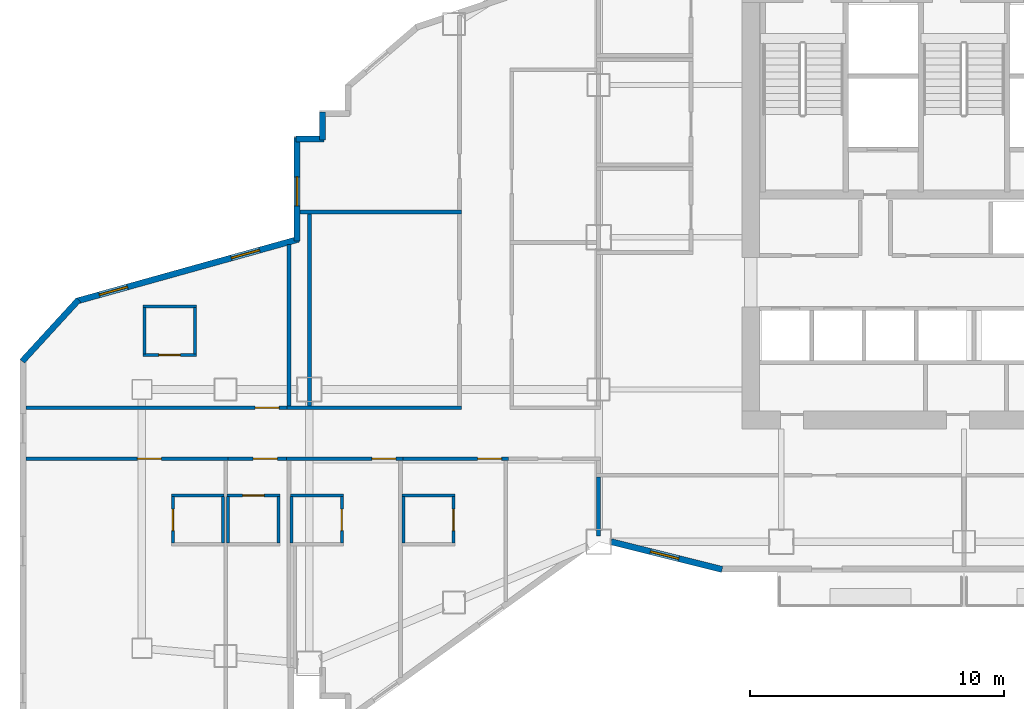
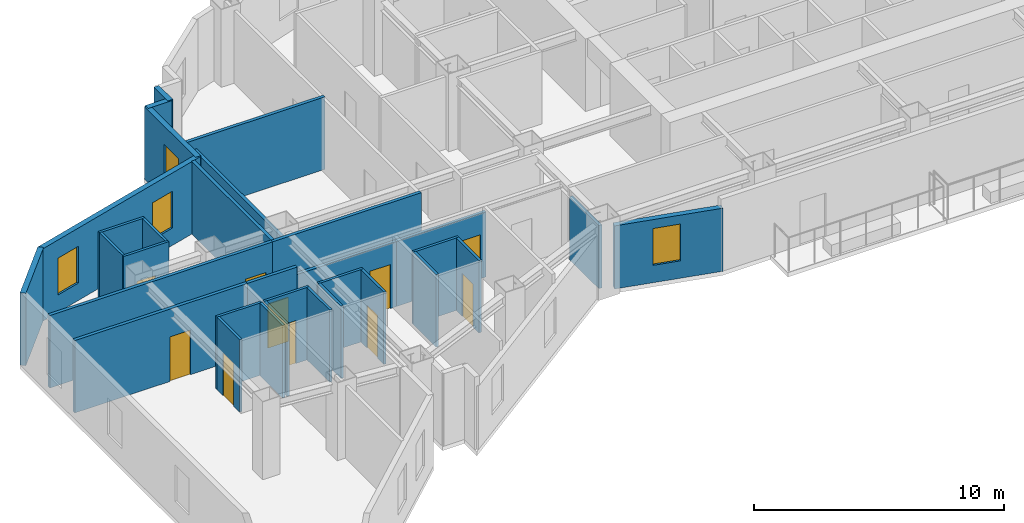
# One storey, part 7 of 14: 32 walls, 10 doors, 4 windows, 14 openings.
"""IFC4 building model written with IfcOpenShell, lengths in metres."""

from ifc_helpers import new_model, si_unit, direction, frame, frame_2d, origin, place, context, subcontext, project, spatial, rectangle, extrude, material, layer, layer_set, type_object, element, fill, save


model = new_model("IFC4")

# Units and contexts
model_context = context("Model", 3, precision=1e-05, world=origin(), true_north=direction((0.0, 1.0)))
body_context = subcontext(model_context, "Body", "Model", "MODEL_VIEW")
ifc_project = project(units=[si_unit("LENGTHUNIT", "METRE"), si_unit("AREAUNIT", "SQUARE_METRE"), si_unit("VOLUMEUNIT", "CUBIC_METRE"), si_unit("PLANEANGLEUNIT", "RADIAN"), si_unit("MASSUNIT", "GRAM", prefix="KILO")], contexts=[model_context])

# Site, building, storey
site_placement = place(None, origin())
site = spatial("IfcSite", under=ifc_project, at=site_placement, CompositionType="ELEMENT")
building_placement = place(site_placement, origin())
building = spatial("IfcBuilding", under=site, at=building_placement, Name="Haolan Belvedere Tower", CompositionType="ELEMENT")
storey_placement = place(building_placement, frame((0.0, 0.0, 132.60009765625)))
storey = spatial("IfcBuildingStorey", under=building, at=storey_placement, Name="L33", CompositionType="ELEMENT", Elevation=132.60009765625)

# Wall, opening, window
ifc_material_1 = material(Name="Precast concrete C40/50", Category="concrete")
ifc_layer_1 = layer(ifc_material_1, 0.239990234375, Name="Precast concrete C40/50")
ifc_layer_set_1 = layer_set([ifc_layer_1], Name="Precast concrete C40/50")
wall_type_1 = type_object("IfcWallType", Name="WL-EXT-240", PredefinedType="SOLIDWALL", material=ifc_layer_set_1)
wall_1_placement = place(storey_placement, frame((24.491943359375, 21.6005859375, 0.0), z_axis=(0.0, 0.0, 1.0), x_axis=(0.970145683738, -0.242522890311, 0.0)))
wall_1 = element("IfcWall", 1, at=wall_1_placement, inside=storey, type_object=wall_type_1, Name="L33 pale-metal exterior spandrel wall 6.1", PredefinedType="SOLIDWALL", context=body_context, shape_type="SweptSolid", body=[
    extrude(rectangle(XDim=4.510986328125, YDim=0.239990234375, at=frame_2d((2.25537109375, 0.0))), origin(), (0.0, 0.0, 1.0), 3.0849609375),
])
opening_1_placement = place(wall_1_placement, frame((1.60009765625, 0.0, 0.85009765625)))
opening_1 = element("IfcOpeningElement", 2, at=opening_1_placement, cuts=wall_1, Name="Opening W-02", PredefinedType="OPENING", context=body_context, shape_type="SweptSolid", body=[
    extrude(rectangle(XDim=1.14990234375, YDim=1.800048828125, at=frame_2d((0.574951171875, 0.89990234375))), frame((0.0, 0.1298828125, 0.0), z_axis=(0.0, -1.0, 0.0), x_axis=(1.0, 0.0, 0.0)), (0.0, 0.0, 1.0), 0.260009765625),
])
ifc_material_2 = material(Name="Anodised aluminium 6063-T6 and Low-E glass", Category="aluminium")
window_type = type_object("IfcWindowType", Name="WN-DECO-Z2", PartitioningType="SINGLE_PANEL", PredefinedType="WINDOW", material=ifc_material_2)
window_1_placement = place(opening_1_placement, origin())
window_1 = element("IfcWindow", 3, at=window_1_placement, inside=storey, type_object=window_type, Name="L33 Art Deco chevron window 1", OverallHeight=1.800048828125, OverallWidth=1.14990234375, PartitioningType="SINGLE_PANEL", PredefinedType="WINDOW", context=body_context, shape_type="SweptSolid", body=[
    extrude(rectangle(XDim=1.14990234375, YDim=1.800048828125, at=frame_2d((0.574951171875, 0.89990234375))), frame((0.0, 0.030029296875, 0.0), z_axis=(0.0, -1.0, 0.0), x_axis=(1.0, 0.0, 0.0)), (0.0, 0.0, 1.0), 0.06005859375),
])
fill(opening_1, window_1)

# Walls
wall_2_placement = place(storey_placement, frame((13.1201171875, 38.534912109375, 0.0), z_axis=(0.0, 0.0, 1.0), x_axis=(0.0, -1.0, 0.0)))
element("IfcWall", 4, at=wall_2_placement, inside=storey, type_object=wall_type_1, Name="L33 pale-metal exterior spandrel wall 39.1", PredefinedType="SOLIDWALL", context=body_context, shape_type="SweptSolid", body=[
    extrude(rectangle(XDim=1.10986328125, YDim=0.239990234375, at=frame_2d((0.554931640625, 0.0))), origin(), (0.0, 0.0, 1.0), 3.539794921875),
])
wall_3_placement = place(storey_placement, frame((13.175048828125, 37.47998046875, 0.0), z_axis=(0.0, 0.0, 1.0), x_axis=(-1.0, 0.0, 0.0)))
element("IfcWall", 5, at=wall_3_placement, inside=storey, type_object=wall_type_1, Name="L33 pale-metal exterior spandrel wall 40.1", PredefinedType="SOLIDWALL", context=body_context, shape_type="SweptSolid", body=[
    extrude(rectangle(XDim=1.110107421875, YDim=0.239990234375, at=frame_2d((0.55517578125, 0.0))), origin(), (0.0, 0.0, 1.0), 3.539794921875),
])

# Wall, opening, window
wall_4_placement = place(storey_placement, frame((12.1201171875, 37.534912109375, 0.0), z_axis=(0.0, 0.0, 1.0), x_axis=(0.0, -1.0, 0.0)))
wall_4 = element("IfcWall", 6, at=wall_4_placement, inside=storey, type_object=wall_type_1, Name="L33 pale-metal exterior spandrel wall 41.1", PredefinedType="SOLIDWALL", context=body_context, shape_type="SweptSolid", body=[
    extrude(rectangle(XDim=4.0810546875, YDim=0.239990234375, at=frame_2d((2.04052734375, 0.0))), origin(), (0.0, 0.0, 1.0), 3.539794921875),
])
opening_2_placement = place(wall_4_placement, frame((1.550048828125, 0.0, 0.85009765625)))
opening_2 = element("IfcOpeningElement", 7, at=opening_2_placement, cuts=wall_4, Name="Opening W-02", PredefinedType="OPENING", context=body_context, shape_type="SweptSolid", body=[
    extrude(rectangle(XDim=1.14990234375, YDim=1.800048828125, at=frame_2d((0.574951171875, 0.89990234375))), frame((0.0, 0.1298828125, 0.0), z_axis=(0.0, -1.0, 0.0), x_axis=(1.0, 0.0, 0.0)), (0.0, 0.0, 1.0), 0.260009765625),
])
window_2_placement = place(opening_2_placement, origin())
window_2 = element("IfcWindow", 8, at=window_2_placement, inside=storey, type_object=window_type, Name="L33 Art Deco chevron window 1", OverallHeight=1.800048828125, OverallWidth=1.14990234375, PartitioningType="SINGLE_PANEL", PredefinedType="WINDOW", context=body_context, shape_type="SweptSolid", body=[
    extrude(rectangle(XDim=1.14990234375, YDim=1.800048828125, at=frame_2d((0.574951171875, 0.89990234375))), frame((0.0, 0.030029296875, 0.0), z_axis=(0.0, -1.0, 0.0), x_axis=(1.0, 0.0, 0.0)), (0.0, 0.0, 1.0), 0.06005859375),
])
fill(opening_2, window_2)

# Wall, openings, windows
wall_5_placement = place(storey_placement, frame((12.173095703125, 33.523681640625, 0.0), z_axis=(0.0, 0.0, 1.0), x_axis=(-0.963197271032, -0.268795493036, 0.0)))
wall_5 = element("IfcWall", 9, at=wall_5_placement, inside=storey, type_object=wall_type_1, Name="L33 pale-metal exterior spandrel wall 42.1", PredefinedType="SOLIDWALL", context=body_context, shape_type="SweptSolid", body=[
    extrude(rectangle(XDim=9.095458984375, YDim=0.239990234375, at=frame_2d((4.5478515625, 0.0))), origin(), (0.0, 0.0, 1.0), 3.539794921875),
])
opening_3_placement = place(wall_5_placement, frame((1.60009765625, 0.0, 0.85009765625)))
opening_3 = element("IfcOpeningElement", 10, at=opening_3_placement, cuts=wall_5, Name="Opening W-02", PredefinedType="OPENING", context=body_context, shape_type="SweptSolid", body=[
    extrude(rectangle(XDim=1.14990234375, YDim=1.800048828125, at=frame_2d((0.574951171875, 0.89990234375))), frame((0.0, 0.1298828125, 0.0), z_axis=(0.0, -1.0, 0.0), x_axis=(1.0, 0.0, 0.0)), (0.0, 0.0, 1.0), 0.260009765625),
])
opening_4_placement = place(wall_5_placement, frame((7.0, 0.0, 0.85009765625)))
opening_4 = element("IfcOpeningElement", 11, at=opening_4_placement, cuts=wall_5, Name="Opening W-02", PredefinedType="OPENING", context=body_context, shape_type="SweptSolid", body=[
    extrude(rectangle(XDim=1.14990234375, YDim=1.800048828125, at=frame_2d((0.574951171875, 0.89990234375))), frame((0.0, 0.1298828125, 0.0), z_axis=(0.0, -1.0, 0.0), x_axis=(1.0, 0.0, 0.0)), (0.0, 0.0, 1.0), 0.260009765625),
])
window_3_placement = place(opening_3_placement, origin())
window_3 = element("IfcWindow", 12, at=window_3_placement, inside=storey, type_object=window_type, Name="L33 Art Deco chevron window 1", OverallHeight=1.800048828125, OverallWidth=1.14990234375, PartitioningType="SINGLE_PANEL", PredefinedType="WINDOW", context=body_context, shape_type="SweptSolid", body=[
    extrude(rectangle(XDim=1.14990234375, YDim=1.800048828125, at=frame_2d((0.574951171875, 0.89990234375))), frame((0.0, 0.030029296875, 0.0), z_axis=(0.0, -1.0, 0.0), x_axis=(1.0, 0.0, 0.0)), (0.0, 0.0, 1.0), 0.06005859375),
])
fill(opening_3, window_3)
window_4_placement = place(opening_4_placement, origin())
window_4 = element("IfcWindow", 13, at=window_4_placement, inside=storey, type_object=window_type, Name="L33 Art Deco chevron window 2", OverallHeight=1.800048828125, OverallWidth=1.14990234375, PartitioningType="SINGLE_PANEL", PredefinedType="WINDOW", context=body_context, shape_type="SweptSolid", body=[
    extrude(rectangle(XDim=1.14990234375, YDim=1.800048828125, at=frame_2d((0.574951171875, 0.89990234375))), frame((0.0, 0.030029296875, 0.0), z_axis=(0.0, -1.0, 0.0), x_axis=(1.0, 0.0, 0.0)), (0.0, 0.0, 1.0), 0.06005859375),
])
fill(opening_4, window_4)

# Walls
wall_6_placement = place(storey_placement, frame((3.50244140625, 31.134033203125, 0.0), z_axis=(0.0, 0.0, 1.0), x_axis=(-0.675781844312, -0.737101688302, 0.0)))
element("IfcWall", 14, at=wall_6_placement, inside=storey, type_object=wall_type_1, Name="L33 pale-metal exterior spandrel wall 43.1", PredefinedType="SOLIDWALL", context=body_context, shape_type="SweptSolid", body=[
    extrude(rectangle(XDim=3.28466796875, YDim=0.239990234375, at=frame_2d((1.642333984375, 0.0))), origin(), (0.0, 0.0, 1.0), 3.539794921875),
])
ifc_material_3 = material(Name="Double gypsum acoustic stud partition", Category="masonry")
ifc_layer_2 = layer(ifc_material_3, 0.14990234375, Name="Double gypsum acoustic stud partition")
ifc_layer_set_2 = layer_set([ifc_layer_2], Name="Double gypsum acoustic stud partition")
wall_type_2 = type_object("IfcWallType", Name="WL-PART-150", PredefinedType="PARTITIONING", material=ifc_layer_set_2)
wall_7_placement = place(storey_placement, frame((24.0, 21.818603515625, 0.0), z_axis=(0.0, 0.0, 1.0), x_axis=(0.0, 1.0, 0.0)))
element("IfcWall", 15, at=wall_7_placement, inside=storey, type_object=wall_type_2, Name="L33 interior partition IW-L33-KS1-W", PredefinedType="PARTITIONING", context=body_context, shape_type="SweptSolid", body=[
    extrude(rectangle(XDim=2.34130859375, YDim=0.14990234375, at=frame_2d((1.170654296875, 0.0))), origin(), (0.0, 0.0, 1.0), 3.0849609375),
])
wall_8_placement = place(storey_placement, frame((12.22509765625, 34.60009765625, 0.0), z_axis=(0.0, 0.0, 1.0), x_axis=(1.0, 0.0, 0.0)))
element("IfcWall", 16, at=wall_8_placement, inside=storey, type_object=wall_type_2, Name="L33 interior partition IW-L33-T2W1-N", PredefinedType="PARTITIONING", context=body_context, shape_type="SweptSolid", body=[
    extrude(rectangle(XDim=6.375, YDim=0.14990234375, at=frame_2d((3.1875, 0.0))), origin(), (0.0, 0.0, 1.0), 3.539794921875),
])
wall_9_placement = place(storey_placement, frame((11.719970703125, 26.8798828125, 0.0), z_axis=(0.0, 0.0, 1.0), x_axis=(1.0, 0.0, 0.0)))
element("IfcWall", 17, at=wall_9_placement, inside=storey, type_object=wall_type_2, Name="L33 interior partition IW-L33-T2W1-S", PredefinedType="PARTITIONING", context=body_context, shape_type="SweptSolid", body=[
    extrude(rectangle(XDim=6.880126953125, YDim=0.14990234375, at=frame_2d((3.43994140625, 0.0))), origin(), (0.0, 0.0, 1.0), 3.539794921875),
])
wall_10_placement = place(storey_placement, frame((11.800048828125, 26.93994140625, 0.0), z_axis=(0.0, 0.0, 1.0), x_axis=(0.0, 1.0, 0.0)))
element("IfcWall", 18, at=wall_10_placement, inside=storey, type_object=wall_type_2, Name="L33 interior partition IW-L33-T2W1-W", PredefinedType="PARTITIONING", context=body_context, shape_type="SweptSolid", body=[
    extrude(rectangle(XDim=6.37060546875, YDim=0.14990234375, at=frame_2d((3.185302734375, 0.0))), origin(), (0.0, 0.0, 1.0), 3.539794921875),
])

# Wall, opening, door
wall_11_placement = place(storey_placement, frame((11.699951171875, 24.8701171875, 0.0), z_axis=(0.0, 0.0, 1.0), x_axis=(1.0, 0.0, 0.0)))
wall_11 = element("IfcWall", 19, at=wall_11_placement, inside=storey, type_object=wall_type_2, Name="L33 interior partition IW-L33-T2S1-N", PredefinedType="PARTITIONING", context=body_context, shape_type="SweptSolid", body=[
    extrude(rectangle(XDim=4.590087890625, YDim=0.14990234375, at=frame_2d((2.294921875, 0.0))), origin(), (0.0, 0.0, 1.0), 3.1748046875),
])
opening_5_placement = place(wall_11_placement, frame((4.311279296875, 0.0, 0.0), z_axis=(0.0, 0.0, 1.0), x_axis=(-1.0, 0.0, 0.0)))
opening_5 = element("IfcOpeningElement", 20, at=opening_5_placement, cuts=wall_11, Name="Opening ID-02", PredefinedType="OPENING", context=body_context, shape_type="SweptSolid", body=[
    extrude(rectangle(XDim=0.949951171875, YDim=2.14990234375, at=frame_2d((0.47509765625, 1.074951171875))), frame((0.0, 0.0849609375, 0.0), z_axis=(0.0, -1.0, 0.0), x_axis=(1.0, 0.0, 0.0)), (0.0, 0.0, 1.0), 0.169921875),
])
ifc_material_4 = material(Name="Acoustic oak veneer fire-rated timber", Category="wood")
door_type_1 = type_object("IfcDoorType", Name="DR-GUEST-950", OperationType="NOTDEFINED", PredefinedType="DOOR", material=ifc_material_4)
door_1_placement = place(opening_5_placement, origin())
door_1 = element("IfcDoor", 21, at=door_1_placement, inside=storey, type_object=door_type_1, Name="L33 door ID-L33-T2S1-ENT", OperationType="SINGLE_SWING_LEFT", OverallHeight=2.14990234375, OverallWidth=0.949951171875, PredefinedType="DOOR", context=body_context, shape_type="SweptSolid", body=[
    extrude(rectangle(XDim=0.949951171875, YDim=2.14990234375, at=frame_2d((0.47509765625, 1.074951171875))), frame((0.0, 0.02490234375, 0.0), z_axis=(0.0, -1.0, 0.0), x_axis=(1.0, 0.0, 0.0)), (0.0, 0.0, 1.0), 0.050048828125),
])
fill(opening_5, door_1)

wall_12_placement = place(storey_placement, frame((16.2919921875, 24.8701171875, 0.0), z_axis=(0.0, 0.0, 1.0), x_axis=(1.0, 0.0, 0.0)))
wall_12 = element("IfcWall", 22, at=wall_12_placement, inside=storey, type_object=wall_type_2, Name="L33 interior partition IW-L33-T2S2-N", PredefinedType="PARTITIONING", context=body_context, shape_type="SweptSolid", body=[
    extrude(rectangle(XDim=4.14794921875, YDim=0.14990234375, at=frame_2d((2.073974609375, 0.0))), origin(), (0.0, 0.0, 1.0), 3.1748046875),
])
opening_6_placement = place(wall_12_placement, frame((3.88525390625, 0.0, 0.0), z_axis=(0.0, 0.0, 1.0), x_axis=(-1.0, 0.0, 0.0)))
opening_6 = element("IfcOpeningElement", 23, at=opening_6_placement, cuts=wall_12, Name="Opening ID-02", PredefinedType="OPENING", context=body_context, shape_type="SweptSolid", body=[
    extrude(rectangle(XDim=0.949951171875, YDim=2.14990234375, at=frame_2d((0.47509765625, 1.074951171875))), frame((0.0, 0.0849609375, 0.0), z_axis=(0.0, -1.0, 0.0), x_axis=(1.0, 0.0, 0.0)), (0.0, 0.0, 1.0), 0.169921875),
])
door_2_placement = place(opening_6_placement, origin())
door_2 = element("IfcDoor", 24, at=door_2_placement, inside=storey, type_object=door_type_1, Name="L33 door ID-L33-T2S2-ENT", OperationType="SINGLE_SWING_RIGHT", OverallHeight=2.14990234375, OverallWidth=0.949951171875, PredefinedType="DOOR", context=body_context, shape_type="SweptSolid", body=[
    extrude(rectangle(XDim=0.949951171875, YDim=2.14990234375, at=frame_2d((0.47509765625, 1.074951171875))), frame((0.0, 0.02490234375, 0.0), z_axis=(0.0, -1.0, 0.0), x_axis=(1.0, 0.0, 0.0)), (0.0, 0.0, 1.0), 0.050048828125),
])
fill(opening_6, door_2)

wall_13_placement = place(storey_placement, frame((1.425048828125, 24.8701171875, 0.0), z_axis=(0.0, 0.0, 1.0), x_axis=(1.0, 0.0, 0.0)))
wall_13 = element("IfcWall", 25, at=wall_13_placement, inside=storey, type_object=wall_type_2, Name="L33 interior partition IW-L33-T1S1-N", PredefinedType="PARTITIONING", context=body_context, shape_type="SweptSolid", body=[
    extrude(rectangle(XDim=7.974853515625, YDim=0.14990234375, at=frame_2d((3.9873046875, 0.0))), origin(), (0.0, 0.0, 1.0), 3.539794921875),
])
opening_7_placement = place(wall_13_placement, frame((5.346435546875, 0.0, 0.0), z_axis=(0.0, 0.0, 1.0), x_axis=(-1.0, 0.0, 0.0)))
opening_7 = element("IfcOpeningElement", 26, at=opening_7_placement, cuts=wall_13, Name="Opening ID-01", PredefinedType="OPENING", context=body_context, shape_type="SweptSolid", body=[
    extrude(rectangle(XDim=0.949951171875, YDim=2.179931640625, at=frame_2d((0.47509765625, 1.08984375))), frame((0.0, 0.0849609375, 0.0), z_axis=(0.0, -1.0, 0.0), x_axis=(1.0, 0.0, 0.0)), (0.0, 0.0, 1.0), 0.169921875),
])
ifc_material_5 = material(Name="Acoustic walnut veneer fire-rated timber", Category="wood")
door_type_2 = type_object("IfcDoorType", Name="DR-SUITE-950", OperationType="NOTDEFINED", PredefinedType="DOOR", material=ifc_material_5)
door_3_placement = place(opening_7_placement, origin())
door_3 = element("IfcDoor", 27, at=door_3_placement, inside=storey, type_object=door_type_2, Name="L33 door ID-L33-T1S1-ENT", OperationType="SINGLE_SWING_LEFT", OverallHeight=2.179931640625, OverallWidth=0.949951171875, PredefinedType="DOOR", context=body_context, shape_type="SweptSolid", body=[
    extrude(rectangle(XDim=0.949951171875, YDim=2.179931640625, at=frame_2d((0.47509765625, 1.08984375))), frame((0.0, 0.02490234375, 0.0), z_axis=(0.0, -1.0, 0.0), x_axis=(1.0, 0.0, 0.0)), (0.0, 0.0, 1.0), 0.050048828125),
])
fill(opening_7, door_3)

wall_14_placement = place(storey_placement, frame((9.402099609375, 24.8701171875, 0.0), z_axis=(0.0, 0.0, 1.0), x_axis=(1.0, 0.0, 0.0)))
wall_14 = element("IfcWall", 28, at=wall_14_placement, inside=storey, type_object=wall_type_2, Name="L33 interior partition IW-L33-T1S2-N", PredefinedType="PARTITIONING", context=body_context, shape_type="SweptSolid", body=[
    extrude(rectangle(XDim=2.2958984375, YDim=0.14990234375, at=frame_2d((1.14794921875, 0.0))), origin(), (0.0, 0.0, 1.0), 3.539794921875),
])
opening_8_placement = place(wall_14_placement, frame((1.93408203125, 0.0, 0.0), z_axis=(0.0, 0.0, 1.0), x_axis=(-1.0, 0.0, 0.0)))
opening_8 = element("IfcOpeningElement", 29, at=opening_8_placement, cuts=wall_14, Name="Opening ID-02", PredefinedType="OPENING", context=body_context, shape_type="SweptSolid", body=[
    extrude(rectangle(XDim=0.949951171875, YDim=2.14990234375, at=frame_2d((0.47509765625, 1.074951171875))), frame((0.0, 0.0849609375, 0.0), z_axis=(0.0, -1.0, 0.0), x_axis=(1.0, 0.0, 0.0)), (0.0, 0.0, 1.0), 0.169921875),
])
door_4_placement = place(opening_8_placement, origin())
door_4 = element("IfcDoor", 30, at=door_4_placement, inside=storey, type_object=door_type_1, Name="L33 door ID-L33-T1S2-ENT", OperationType="SINGLE_SWING_RIGHT", OverallHeight=2.14990234375, OverallWidth=0.949951171875, PredefinedType="DOOR", context=body_context, shape_type="SweptSolid", body=[
    extrude(rectangle(XDim=0.949951171875, YDim=2.14990234375, at=frame_2d((0.47509765625, 1.074951171875))), frame((0.0, 0.02490234375, 0.0), z_axis=(0.0, -1.0, 0.0), x_axis=(1.0, 0.0, 0.0)), (0.0, 0.0, 1.0), 0.050048828125),
])
fill(opening_8, door_4)

wall_15_placement = place(storey_placement, frame((1.425048828125, 26.8798828125, 0.0), z_axis=(0.0, 0.0, 1.0), x_axis=(1.0, 0.0, 0.0)))
wall_15 = element("IfcWall", 31, at=wall_15_placement, inside=storey, type_object=wall_type_2, Name="L33 interior partition IW-L33-T1N1-S", PredefinedType="PARTITIONING", context=body_context, shape_type="SweptSolid", body=[
    extrude(rectangle(XDim=10.29296875, YDim=0.14990234375, at=frame_2d((5.146484375, 0.0))), origin(), (0.0, 0.0, 1.0), 3.539794921875),
])
opening_9_placement = place(wall_15_placement, frame((9.036376953125, 0.0, 0.0)))
opening_9 = element("IfcOpeningElement", 32, at=opening_9_placement, cuts=wall_15, Name="Opening ID-02", PredefinedType="OPENING", context=body_context, shape_type="SweptSolid", body=[
    extrude(rectangle(XDim=0.949951171875, YDim=2.14990234375, at=frame_2d((0.47509765625, 1.074951171875))), frame((0.0, 0.0849609375, 0.0), z_axis=(0.0, -1.0, 0.0), x_axis=(1.0, 0.0, 0.0)), (0.0, 0.0, 1.0), 0.169921875),
])
door_5_placement = place(opening_9_placement, origin())
door_5 = element("IfcDoor", 33, at=door_5_placement, inside=storey, type_object=door_type_1, Name="L33 door ID-L33-T1N1-ENT", OperationType="SINGLE_SWING_LEFT", OverallHeight=2.14990234375, OverallWidth=0.949951171875, PredefinedType="DOOR", context=body_context, shape_type="SweptSolid", body=[
    extrude(rectangle(XDim=0.949951171875, YDim=2.14990234375, at=frame_2d((0.47509765625, 1.074951171875))), frame((0.0, 0.02490234375, 0.0), z_axis=(0.0, -1.0, 0.0), x_axis=(1.0, 0.0, 0.0)), (0.0, 0.0, 1.0), 0.050048828125),
])
fill(opening_9, door_5)

# Walls
wall_16_placement = place(storey_placement, frame((12.60009765625, 26.93994140625, 0.0), z_axis=(0.0, 0.0, 1.0), x_axis=(0.0, 1.0, 0.0)))
element("IfcWall", 34, at=wall_16_placement, inside=storey, type_object=wall_type_2, Name="L33 interior partition IW-L33-T1N1-E", PredefinedType="PARTITIONING", context=body_context, shape_type="SweptSolid", body=[
    extrude(rectangle(XDim=7.60009765625, YDim=0.14990234375, at=frame_2d((3.800048828125, 0.0))), origin(), (0.0, 0.0, 1.0), 3.0849609375),
])
ifc_material_6 = material(Name="Moisture-resistant gypsum tile partition", Category="masonry")
ifc_layer_3 = layer(ifc_material_6, 0.1201171875, Name="Moisture-resistant gypsum tile partition")
ifc_layer_set_3 = layer_set([ifc_layer_3], Name="Moisture-resistant gypsum tile partition")
wall_type_3 = type_object("IfcWallType", Name="WL-WET-120", PredefinedType="PARTITIONING", material=ifc_layer_set_3)
wall_17_placement = place(storey_placement, frame((11.860107421875, 23.419921875, 0.0), z_axis=(0.0, 0.0, 1.0), x_axis=(1.0, 0.0, 0.0)))
element("IfcWall", 35, at=wall_17_placement, inside=storey, type_object=wall_type_3, Name="L33 interior partition IW-L33-T2S1-BN", PredefinedType="PARTITIONING", context=body_context, shape_type="SweptSolid", body=[
    extrude(rectangle(XDim=2.079833984375, YDim=0.1201171875, at=frame_2d((1.0400390625, 0.0))), origin(), (0.0, 0.0, 1.0), 3.539794921875),
])
wall_18_placement = place(storey_placement, frame((11.89990234375, 21.544921875, 0.0), z_axis=(0.0, 0.0, 1.0), x_axis=(0.0, 1.0, 0.0)))
element("IfcWall", 36, at=wall_18_placement, inside=storey, type_object=wall_type_3, Name="L33 interior partition IW-L33-T2S1-BW", PredefinedType="PARTITIONING", context=body_context, shape_type="SweptSolid", body=[
    extrude(rectangle(XDim=1.830078125, YDim=0.1201171875, at=frame_2d((0.9150390625, 0.0))), origin(), (0.0, 0.0, 1.0), 3.539794921875),
])

# Wall, opening, door
wall_19_placement = place(storey_placement, frame((13.8798828125, 21.544921875, 0.0), z_axis=(0.0, 0.0, 1.0), x_axis=(0.0, 1.0, 0.0)))
wall_19 = element("IfcWall", 37, at=wall_19_placement, inside=storey, type_object=wall_type_3, Name="L33 interior partition IW-L33-T2S1-BE", PredefinedType="PARTITIONING", context=body_context, shape_type="SweptSolid", body=[
    extrude(rectangle(XDim=1.830078125, YDim=0.1201171875, at=frame_2d((0.9150390625, 0.0))), origin(), (0.0, 0.0, 1.0), 3.539794921875),
])
opening_10_placement = place(wall_19_placement, frame((0.489990234375, 0.0, 0.0)))
opening_10 = element("IfcOpeningElement", 38, at=opening_10_placement, cuts=wall_19, Name="Opening ID-05", PredefinedType="OPENING", context=body_context, shape_type="SweptSolid", body=[
    extrude(rectangle(XDim=0.85009765625, YDim=2.10009765625, at=frame_2d((0.425048828125, 1.050048828125))), frame((0.0, 0.070068359375, 0.0), z_axis=(0.0, -1.0, 0.0), x_axis=(1.0, 0.0, 0.0)), (0.0, 0.0, 1.0), 0.14013671875),
])
ifc_material_7 = material(Name="Moisture-resistant lacquered timber", Category="wood")
door_type_3 = type_object("IfcDoorType", Name="DR-BATH-850", OperationType="NOTDEFINED", PredefinedType="DOOR", material=ifc_material_7)
door_6_placement = place(opening_10_placement, origin())
door_6 = element("IfcDoor", 39, at=door_6_placement, inside=storey, type_object=door_type_3, Name="L33 door ID-L33-T2S1-BATH", OperationType="SINGLE_SWING_RIGHT", OverallHeight=2.10009765625, OverallWidth=0.85009765625, PredefinedType="DOOR", context=body_context, shape_type="SweptSolid", body=[
    extrude(rectangle(XDim=0.85009765625, YDim=2.10009765625, at=frame_2d((0.425048828125, 1.050048828125))), frame((0.0, 0.02490234375, 0.0), z_axis=(0.0, -1.0, 0.0), x_axis=(1.0, 0.0, 0.0)), (0.0, 0.0, 1.0), 0.050048828125),
])
fill(opening_10, door_6)

# Walls
wall_20_placement = place(storey_placement, frame((16.25, 23.419921875, 0.0), z_axis=(0.0, 0.0, 1.0), x_axis=(1.0, 0.0, 0.0)))
element("IfcWall", 40, at=wall_20_placement, inside=storey, type_object=wall_type_3, Name="L33 interior partition IW-L33-T2S2-BN", PredefinedType="PARTITIONING", context=body_context, shape_type="SweptSolid", body=[
    extrude(rectangle(XDim=2.094970703125, YDim=0.1201171875, at=frame_2d((1.04736328125, 0.0))), origin(), (0.0, 0.0, 1.0), 3.539794921875),
])
wall_21_placement = place(storey_placement, frame((16.304931640625, 21.544921875, 0.0), z_axis=(0.0, 0.0, 1.0), x_axis=(0.0, 1.0, 0.0)))
element("IfcWall", 41, at=wall_21_placement, inside=storey, type_object=wall_type_3, Name="L33 interior partition IW-L33-T2S2-BW", PredefinedType="PARTITIONING", context=body_context, shape_type="SweptSolid", body=[
    extrude(rectangle(XDim=1.830078125, YDim=0.1201171875, at=frame_2d((0.9150390625, 0.0))), origin(), (0.0, 0.0, 1.0), 3.539794921875),
])

# Wall, opening, door
wall_22_placement = place(storey_placement, frame((18.284912109375, 21.544921875, 0.0), z_axis=(0.0, 0.0, 1.0), x_axis=(0.0, 1.0, 0.0)))
wall_22 = element("IfcWall", 42, at=wall_22_placement, inside=storey, type_object=wall_type_3, Name="L33 interior partition IW-L33-T2S2-BE", PredefinedType="PARTITIONING", context=body_context, shape_type="SweptSolid", body=[
    extrude(rectangle(XDim=1.830078125, YDim=0.1201171875, at=frame_2d((0.9150390625, 0.0))), origin(), (0.0, 0.0, 1.0), 3.539794921875),
])
opening_11_placement = place(wall_22_placement, frame((0.489990234375, 0.0, 0.0)))
opening_11 = element("IfcOpeningElement", 43, at=opening_11_placement, cuts=wall_22, Name="Opening ID-05", PredefinedType="OPENING", context=body_context, shape_type="SweptSolid", body=[
    extrude(rectangle(XDim=0.85009765625, YDim=2.10009765625, at=frame_2d((0.425048828125, 1.050048828125))), frame((0.0, 0.070068359375, 0.0), z_axis=(0.0, -1.0, 0.0), x_axis=(1.0, 0.0, 0.0)), (0.0, 0.0, 1.0), 0.14013671875),
])
door_7_placement = place(opening_11_placement, origin())
door_7 = element("IfcDoor", 44, at=door_7_placement, inside=storey, type_object=door_type_3, Name="L33 door ID-L33-T2S2-BATH", OperationType="SINGLE_SWING_LEFT", OverallHeight=2.10009765625, OverallWidth=0.85009765625, PredefinedType="DOOR", context=body_context, shape_type="SweptSolid", body=[
    extrude(rectangle(XDim=0.85009765625, YDim=2.10009765625, at=frame_2d((0.425048828125, 1.050048828125))), frame((0.0, 0.02490234375, 0.0), z_axis=(0.0, -1.0, 0.0), x_axis=(1.0, 0.0, 0.0)), (0.0, 0.0, 1.0), 0.050048828125),
])
fill(opening_11, door_7)

# Wall
wall_23_placement = place(storey_placement, frame((7.159912109375, 23.419921875, 0.0), z_axis=(0.0, 0.0, 1.0), x_axis=(1.0, 0.0, 0.0)))
element("IfcWall", 45, at=wall_23_placement, inside=storey, type_object=wall_type_3, Name="L33 interior partition IW-L33-T1S1-BN", PredefinedType="PARTITIONING", context=body_context, shape_type="SweptSolid", body=[
    extrude(rectangle(XDim=2.080078125, YDim=0.1201171875, at=frame_2d((1.0400390625, 0.0))), origin(), (0.0, 0.0, 1.0), 3.539794921875),
])

# Wall, opening, door
wall_24_placement = place(storey_placement, frame((7.219970703125, 21.544921875, 0.0), z_axis=(0.0, 0.0, 1.0), x_axis=(0.0, 1.0, 0.0)))
wall_24 = element("IfcWall", 46, at=wall_24_placement, inside=storey, type_object=wall_type_3, Name="L33 interior partition IW-L33-T1S1-BW", PredefinedType="PARTITIONING", context=body_context, shape_type="SweptSolid", body=[
    extrude(rectangle(XDim=1.830078125, YDim=0.1201171875, at=frame_2d((0.9150390625, 0.0))), origin(), (0.0, 0.0, 1.0), 3.539794921875),
])
opening_12_placement = place(wall_24_placement, frame((1.340087890625, 0.0, 0.0), z_axis=(0.0, 0.0, 1.0), x_axis=(-1.0, 0.0, 0.0)))
opening_12 = element("IfcOpeningElement", 47, at=opening_12_placement, cuts=wall_24, Name="Opening ID-05", PredefinedType="OPENING", context=body_context, shape_type="SweptSolid", body=[
    extrude(rectangle(XDim=0.85009765625, YDim=2.10009765625, at=frame_2d((0.425048828125, 1.050048828125))), frame((0.0, 0.070068359375, 0.0), z_axis=(0.0, -1.0, 0.0), x_axis=(1.0, 0.0, 0.0)), (0.0, 0.0, 1.0), 0.14013671875),
])
door_8_placement = place(opening_12_placement, origin())
door_8 = element("IfcDoor", 48, at=door_8_placement, inside=storey, type_object=door_type_3, Name="L33 door ID-L33-T1S1-BATH", OperationType="SINGLE_SWING_RIGHT", OverallHeight=2.10009765625, OverallWidth=0.85009765625, PredefinedType="DOOR", context=body_context, shape_type="SweptSolid", body=[
    extrude(rectangle(XDim=0.85009765625, YDim=2.10009765625, at=frame_2d((0.425048828125, 1.050048828125))), frame((0.0, 0.02490234375, 0.0), z_axis=(0.0, -1.0, 0.0), x_axis=(1.0, 0.0, 0.0)), (0.0, 0.0, 1.0), 0.050048828125),
])
fill(opening_12, door_8)

# Wall
wall_25_placement = place(storey_placement, frame((9.199951171875, 21.544921875, 0.0), z_axis=(0.0, 0.0, 1.0), x_axis=(0.0, 1.0, 0.0)))
element("IfcWall", 49, at=wall_25_placement, inside=storey, type_object=wall_type_3, Name="L33 interior partition IW-L33-T1S1-BE", PredefinedType="PARTITIONING", context=body_context, shape_type="SweptSolid", body=[
    extrude(rectangle(XDim=1.830078125, YDim=0.1201171875, at=frame_2d((0.9150390625, 0.0))), origin(), (0.0, 0.0, 1.0), 3.539794921875),
])

# Wall, opening, door
wall_26_placement = place(storey_placement, frame((9.360107421875, 23.419921875, 0.0), z_axis=(0.0, 0.0, 1.0), x_axis=(1.0, 0.0, 0.0)))
wall_26 = element("IfcWall", 50, at=wall_26_placement, inside=storey, type_object=wall_type_3, Name="L33 interior partition IW-L33-T1S2-BN", PredefinedType="PARTITIONING", context=body_context, shape_type="SweptSolid", body=[
    extrude(rectangle(XDim=2.079833984375, YDim=0.1201171875, at=frame_2d((1.0400390625, 0.0))), origin(), (0.0, 0.0, 1.0), 3.539794921875),
])
opening_13_placement = place(wall_26_placement, frame((1.455078125, 0.0, 0.0), z_axis=(0.0, 0.0, 1.0), x_axis=(-1.0, 0.0, 0.0)))
opening_13 = element("IfcOpeningElement", 51, at=opening_13_placement, cuts=wall_26, Name="Opening ID-05", PredefinedType="OPENING", context=body_context, shape_type="SweptSolid", body=[
    extrude(rectangle(XDim=0.85009765625, YDim=2.10009765625, at=frame_2d((0.425048828125, 1.050048828125))), frame((0.0, 0.070068359375, 0.0), z_axis=(0.0, -1.0, 0.0), x_axis=(1.0, 0.0, 0.0)), (0.0, 0.0, 1.0), 0.14013671875),
])
door_9_placement = place(opening_13_placement, origin())
door_9 = element("IfcDoor", 52, at=door_9_placement, inside=storey, type_object=door_type_3, Name="L33 door ID-L33-T1S2-BATH", OperationType="SINGLE_SWING_LEFT", OverallHeight=2.10009765625, OverallWidth=0.85009765625, PredefinedType="DOOR", context=body_context, shape_type="SweptSolid", body=[
    extrude(rectangle(XDim=0.85009765625, YDim=2.10009765625, at=frame_2d((0.425048828125, 1.050048828125))), frame((0.0, 0.02490234375, 0.0), z_axis=(0.0, -1.0, 0.0), x_axis=(1.0, 0.0, 0.0)), (0.0, 0.0, 1.0), 0.050048828125),
])
fill(opening_13, door_9)

# Walls
for number, where, z_axis, x_axis, name in (
    (53, (9.39990234375, 21.544921875, 0.0), (0.0, 0.0, 1.0), (0.0, 1.0, 0.0), "L33 interior partition IW-L33-T1S2-BW"),
    (54, (11.3798828125, 21.544921875, 0.0), (0.0, 0.0, 1.0), (0.0, 1.0, 0.0), "L33 interior partition IW-L33-T1S2-BE"),
):
    element("IfcWall", number, at=place(storey_placement, frame(where, z_axis=z_axis, x_axis=x_axis)), inside=storey, type_object=wall_type_3, Name=name, PredefinedType="PARTITIONING", context=body_context, shape_type="SweptSolid", body=[
        extrude(rectangle(XDim=1.830078125, YDim=0.1201171875, at=frame_2d((0.9150390625, 0.0))), origin(), (0.0, 0.0, 1.0), 3.539794921875),
    ])
wall_27_placement = place(storey_placement, frame((6.04296875, 30.876953125, 0.0), z_axis=(0.0, 0.0, 1.0), x_axis=(1.0, 0.0, 0.0)))
element("IfcWall", 55, at=wall_27_placement, inside=storey, type_object=wall_type_3, Name="L33 interior partition IW-L33-T1N1-BN", PredefinedType="PARTITIONING", context=body_context, shape_type="SweptSolid", body=[
    extrude(rectangle(XDim=2.10009765625, YDim=0.1201171875, at=frame_2d((1.050048828125, 0.0))), origin(), (0.0, 0.0, 1.0), 3.539794921875),
])

# Wall, opening, door
wall_28_placement = place(storey_placement, frame((6.04296875, 28.95703125, 0.0), z_axis=(0.0, 0.0, 1.0), x_axis=(1.0, 0.0, 0.0)))
wall_28 = element("IfcWall", 56, at=wall_28_placement, inside=storey, type_object=wall_type_3, Name="L33 interior partition IW-L33-T1N1-BS", PredefinedType="PARTITIONING", context=body_context, shape_type="SweptSolid", body=[
    extrude(rectangle(XDim=2.10009765625, YDim=0.1201171875, at=frame_2d((1.050048828125, 0.0))), origin(), (0.0, 0.0, 1.0), 3.539794921875),
])
opening_14_placement = place(wall_28_placement, frame((0.625, 0.0, 0.0)))
opening_14 = element("IfcOpeningElement", 57, at=opening_14_placement, cuts=wall_28, Name="Opening ID-05", PredefinedType="OPENING", context=body_context, shape_type="SweptSolid", body=[
    extrude(rectangle(XDim=0.85009765625, YDim=2.10009765625, at=frame_2d((0.425048828125, 1.050048828125))), frame((0.0, 0.070068359375, 0.0), z_axis=(0.0, -1.0, 0.0), x_axis=(1.0, 0.0, 0.0)), (0.0, 0.0, 1.0), 0.14013671875),
])
door_10_placement = place(opening_14_placement, origin())
door_10 = element("IfcDoor", 58, at=door_10_placement, inside=storey, type_object=door_type_3, Name="L33 door ID-L33-T1N1-BATH", OperationType="SINGLE_SWING_RIGHT", OverallHeight=2.10009765625, OverallWidth=0.85009765625, PredefinedType="DOOR", context=body_context, shape_type="SweptSolid", body=[
    extrude(rectangle(XDim=0.85009765625, YDim=2.10009765625, at=frame_2d((0.425048828125, 1.050048828125))), frame((0.0, 0.02490234375, 0.0), z_axis=(0.0, -1.0, 0.0), x_axis=(1.0, 0.0, 0.0)), (0.0, 0.0, 1.0), 0.050048828125),
])
fill(opening_14, door_10)

# Walls
for number, where, z_axis, x_axis, name in (
    (59, (6.10302734375, 29.001953125, 0.0), (0.0, 0.0, 1.0), (0.0, 1.0, 0.0), "L33 interior partition IW-L33-T1N1-BW"),
    (60, (8.0830078125, 29.001953125, 0.0), (0.0, 0.0, 1.0), (0.0, 1.0, 0.0), "L33 interior partition IW-L33-T1N1-BE"),
):
    element("IfcWall", number, at=place(storey_placement, frame(where, z_axis=z_axis, x_axis=x_axis)), inside=storey, type_object=wall_type_3, Name=name, PredefinedType="PARTITIONING", context=body_context, shape_type="SweptSolid", body=[
        extrude(rectangle(XDim=1.830078125, YDim=0.1201171875, at=frame_2d((0.9150390625, 0.0))), origin(), (0.0, 0.0, 1.0), 3.539794921875),
    ])

save(model, "model.ifc")
